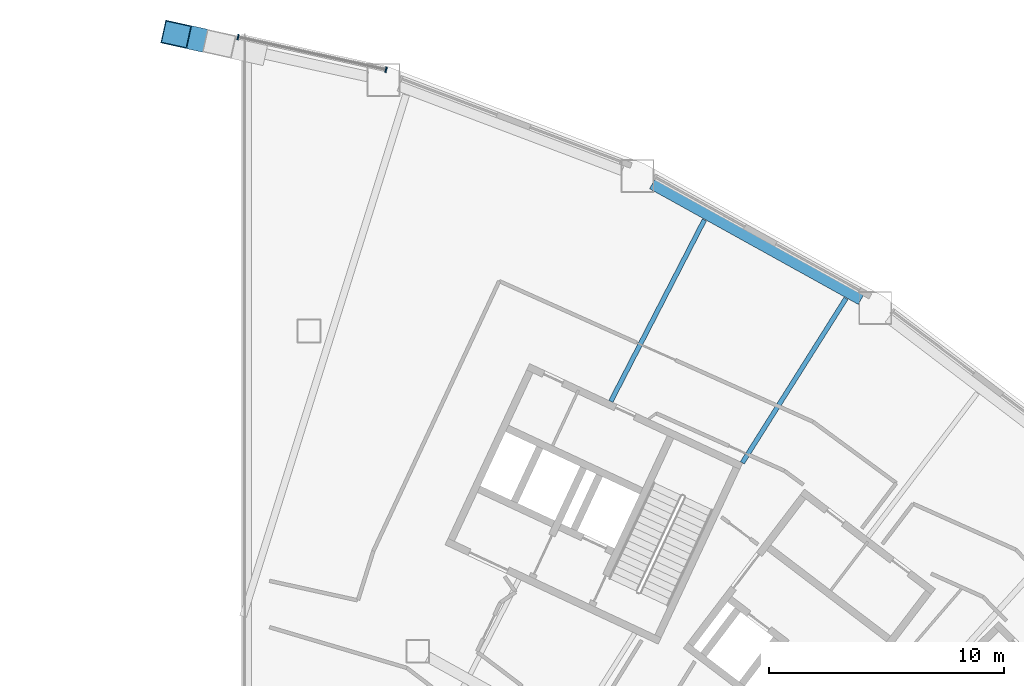
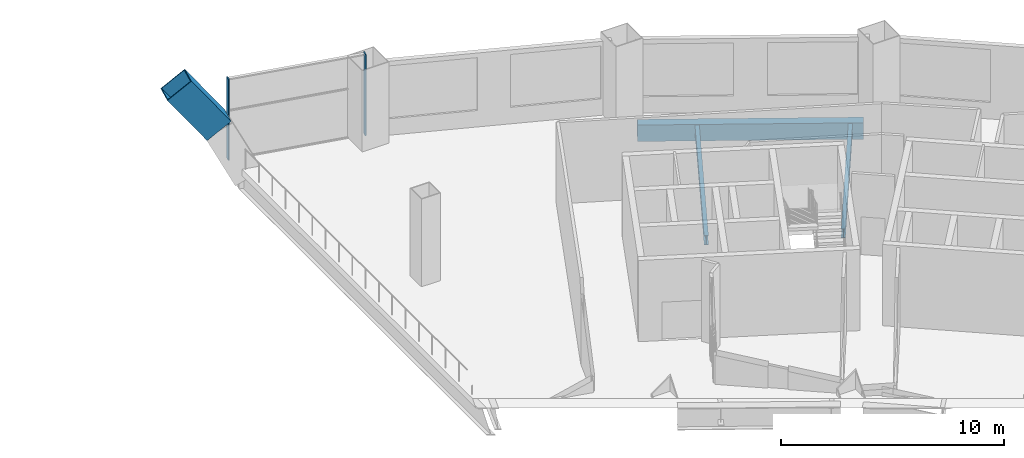
# One storey, part 10 of 20: 4 beams, 2 members, 1 element without a shape of its own.
"""IFC4 building model written with IfcOpenShell, lengths in metres."""

from ifc_helpers import new_model, si_unit, direction, frame, origin, origin_2d, place, context, subcontext, project, spatial, rectangle, hollow_rectangle, i_section, extrude, material, layer, layer_set, material_profile, profile_set, type_object, element, aggregate, save


model = new_model("IFC4")

# Units and contexts
model_context = context("Model", 3, precision=1e-05, world=origin(), true_north=direction((0.0, 1.0)))
body_context = subcontext(model_context, "Body", "Model", "MODEL_VIEW")
ifc_project = project(units=[si_unit("LENGTHUNIT", "METRE"), si_unit("AREAUNIT", "SQUARE_METRE"), si_unit("VOLUMEUNIT", "CUBIC_METRE"), si_unit("PLANEANGLEUNIT", "RADIAN"), si_unit("MASSUNIT", "GRAM", prefix="KILO")], contexts=[model_context])

# Site, building, storey
site_placement = place(None, origin())
site = spatial("IfcSite", under=ifc_project, at=site_placement, CompositionType="ELEMENT")
building_placement = place(site_placement, origin())
building = spatial("IfcBuilding", under=site, at=building_placement, Name="Tuul Gate Civic Tower", CompositionType="ELEMENT")
storey_placement = place(building_placement, frame((0.0, 0.0, 12.300048828125)))
storey = spatial("IfcBuildingStorey", under=building, at=storey_placement, Name="Level 02", CompositionType="ELEMENT", Elevation=12.300048828125)

# Curtain wall, members
ifc_material_1 = material(Name="Aluminium", Category="aluminium")
ifc_layer = layer(ifc_material_1, 0.199951171875)
ifc_layer_set = layer_set([ifc_layer], Name="Aluminium")
curtain_wall_type = type_object("IfcCurtainWallType", Name="Curtain wall CW6", PredefinedType="NOTDEFINED", material=ifc_layer_set)
curtain_wall_placement = place(storey_placement, origin())
curtain_wall = element("IfcCurtainWall", 1, at=curtain_wall_placement, inside=storey, type_object=curtain_wall_type, Name="Curtain wall CW6", PredefinedType="NOTDEFINED")
ifc_material_2 = material(Name="Aluminium", Category="aluminium")
ifc_material_profile_1 = material_profile(ifc_material_2, rectangle(XDim=0.239990234375, YDim=0.06005859375, at=origin_2d()), Name="CW6 mullion")
ifc_profile_set_1 = profile_set([ifc_material_profile_1], Name="Aluminium")
member_type = type_object("IfcMemberType", Name="CW6 mullion", PredefinedType="MULLION", material=ifc_profile_set_1)
member_1_placement = place(storey_placement, frame((22.8916015625, 17.033447265625, 0.0), z_axis=(0.0, 0.0, 1.0), x_axis=(-0.215206763576, -0.976568507024, 0.0)))
member_1 = element("IfcMember", 2, at=member_1_placement, type_object=member_type, Name="Mullion", PredefinedType="MULLION", context=body_context, shape_type="SweptSolid", body=[
    extrude(rectangle(XDim=0.239990234375, YDim=0.06005859375, at=origin_2d()), origin(), (0.0, 0.0, 1.0), 4.449951171875),
])
member_2_placement = place(storey_placement, frame((16.602294921875, 18.41943359375, 0.0), z_axis=(0.0, 0.0, 1.0), x_axis=(-0.215206763576, -0.976568507024, 0.0)))
member_2 = element("IfcMember", 3, at=member_2_placement, type_object=member_type, Name="Mullion", PredefinedType="MULLION", context=body_context, shape_type="SweptSolid", body=[
    extrude(rectangle(XDim=0.239990234375, YDim=0.06005859375, at=origin_2d()), origin(), (0.0, 0.0, 1.0), 4.449951171875),
])
aggregate(curtain_wall, [member_1, member_2])

# Beams
ifc_material_3 = material(Name="Steel S460", Category="steel")
ifc_material_profile_2 = material_profile(ifc_material_3, hollow_rectangle(XDim=1.0, YDim=1.39990234375, WallThickness=0.0400390625, at=origin_2d()), Name="BOX1400x1000x40")
ifc_profile_set_2 = profile_set([ifc_material_profile_2], Name="Steel S460")
beam_type_1 = type_object("IfcBeamType", Name="STR-ARCH TRUSS CHORD-BOX1400x1000x40", PredefinedType="BEAM", material=ifc_profile_set_2)
beam_1_placement = place(storey_placement, frame((13.968994140625, 18.539306640625, 4.921875), z_axis=(0.572746053642, -0.12616594172, -0.809965501233), x_axis=(0.215124939042, 0.976586535132, 0.0)))
element("IfcBeam", 4, at=beam_1_placement, inside=storey, type_object=beam_type_1, Name="Arch rib", PredefinedType="BEAM", context=body_context, shape_type="SweptSolid", body=[
    extrude(hollow_rectangle(XDim=1.0, YDim=1.39990234375, WallThickness=0.0400390625, at=origin_2d()), origin(), (0.0, 0.0, 1.0), 3.19873046875),
])
ifc_material_4 = material(Name="Steel S355", Category="steel")
ifc_material_profile_3 = material_profile(ifc_material_4, i_section(OverallWidth=0.199951171875, OverallDepth=0.5, WebThickness=0.010009765625, FlangeThickness=0.01611328125, at=origin_2d()), Name="PG500x200x10x16")
ifc_profile_set_3 = profile_set([ifc_material_profile_3], Name="Steel S355")
beam_type_2 = type_object("IfcBeamType", Name="STR-FLOOR BEAM-PG500x200x10x16", PredefinedType="BEAM", material=ifc_profile_set_3)
beam_2_placement = place(storey_placement, frame((38.0400390625, 0.325927734375, -0.60009765625), z_axis=(0.53337261638, 0.845880400586, 0.0), x_axis=(-0.845880400586, 0.53337261638, 0.0)))
element("IfcBeam", 5, at=beam_2_placement, inside=storey, type_object=beam_type_2, Name="Floor beam", PredefinedType="BEAM", context=body_context, shape_type="SweptSolid", body=[
    extrude(i_section(OverallWidth=0.199951171875, OverallDepth=0.5, WebThickness=0.010009765625, FlangeThickness=0.01611328125, at=origin_2d()), origin(), (0.0, 0.0, 1.0), 8.263916015625),
])
beam_3_placement = place(storey_placement, frame((32.447998046875, 2.933349609375, -0.60009765625), z_axis=(0.458265539673, 0.888815332422, 0.0), x_axis=(-0.888815332422, 0.458265539673, 0.0)))
element("IfcBeam", 6, at=beam_3_placement, inside=storey, type_object=beam_type_2, Name="Floor beam", PredefinedType="BEAM", context=body_context, shape_type="SweptSolid", body=[
    extrude(i_section(OverallWidth=0.199951171875, OverallDepth=0.5, WebThickness=0.010009765625, FlangeThickness=0.01611328125, at=origin_2d()), origin(), (0.0, 0.0, 1.0), 8.685302734375),
])
ifc_material_5 = material(Name="Steel S355", Category="steel")
ifc_material_profile_4 = material_profile(ifc_material_5, hollow_rectangle(XDim=0.449951171875, YDim=0.89990234375, WallThickness=0.02490234375, at=origin_2d()), Name="BOX900x450x25")
ifc_profile_set_4 = profile_set([ifc_material_profile_4], Name="Steel S355")
beam_type_3 = type_object("IfcBeamType", Name="STR-SPANDREL BEAM-BOX900x450x25", PredefinedType="BEAM", material=ifc_profile_set_4)
beam_4_placement = place(storey_placement, frame((43.078857421875, 7.25244140625, -0.800048828125), z_axis=(-0.874621074476, 0.484807153497, 0.0), x_axis=(-0.484807153497, -0.874621074476, 0.0)))
element("IfcBeam", 7, at=beam_4_placement, inside=storey, type_object=beam_type_3, Name="Spandrel beam", PredefinedType="BEAM", context=body_context, shape_type="SweptSolid", body=[
    extrude(hollow_rectangle(XDim=0.449951171875, YDim=0.89990234375, WallThickness=0.02490234375, at=origin_2d()), origin(), (0.0, 0.0, 1.0), 10.146728515625),
])

save(model, "model.ifc")
